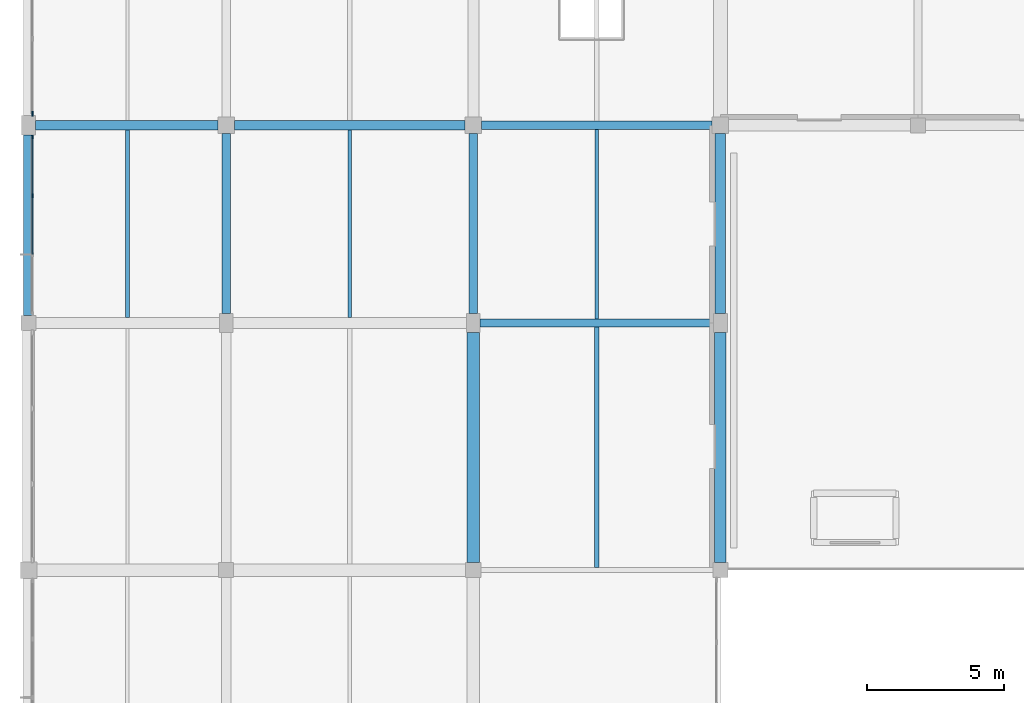
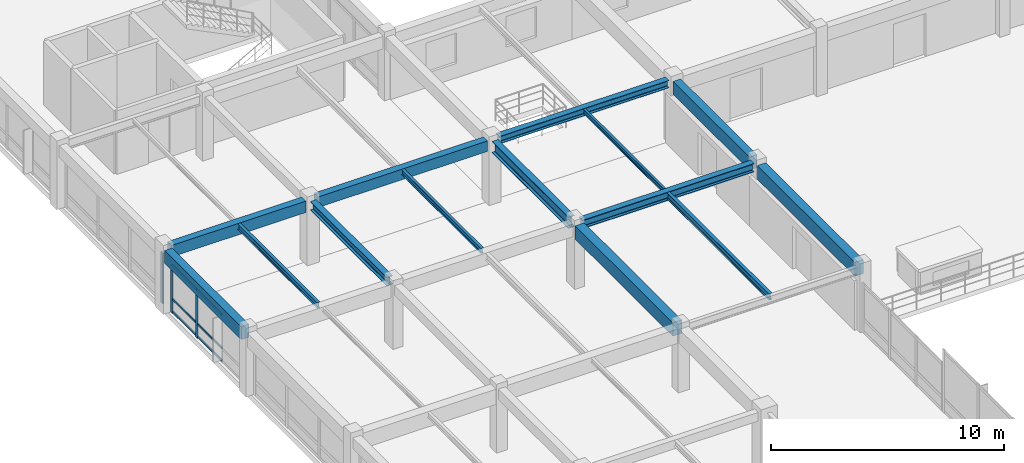
# One storey, part 12 of 74: 14 beams, 9 members, 2 elements without a shape of their own.
"""IFC4 building model written with IfcOpenShell, lengths in metres."""

from ifc_helpers import new_model, si_unit, direction, frame, origin, origin_2d, place, context, subcontext, project, spatial, rectangle, i_section, extrude, material, material_profile, profile_set, type_object, element, aggregate, save


model = new_model("IFC4")

# Units and contexts
model_context = context("Model", 3, precision=1e-05, world=origin(), true_north=direction((0.0, 1.0)))
body_context = subcontext(model_context, "Body", "Model", "MODEL_VIEW")
ifc_project = project(units=[si_unit("LENGTHUNIT", "METRE"), si_unit("AREAUNIT", "SQUARE_METRE"), si_unit("VOLUMEUNIT", "CUBIC_METRE"), si_unit("PLANEANGLEUNIT", "RADIAN"), si_unit("MASSUNIT", "GRAM", prefix="KILO")], contexts=[model_context])

# Site, building, storey
site_placement = place(None, origin())
site = spatial("IfcSite", under=ifc_project, at=site_placement, CompositionType="ELEMENT")
building_placement = place(site_placement, origin())
building = spatial("IfcBuilding", under=site, at=building_placement, Name="Clarverna Civic Hall", CompositionType="ELEMENT")
storey_placement = place(building_placement, frame((0.0, 0.0, 9.60009765625)))
storey = spatial("IfcBuildingStorey", under=building, at=storey_placement, Name="L02", CompositionType="ELEMENT", Elevation=9.60009765625)

# Beams
ifc_material_1 = material(Name="Concrete C35/45", Category="concrete")
ifc_material_profile_1 = material_profile(ifc_material_1, rectangle(XDim=0.449951171875, YDim=0.699951171875, at=origin_2d()), Name="RC 450x700")
ifc_profile_set_1 = profile_set([ifc_material_profile_1], Name="Concrete C35/45")
beam_type_1 = type_object("IfcBeamType", Name="B-RC4", PredefinedType="BEAM", material=ifc_profile_set_1)
beam_1_placement = place(storey_placement, frame((16.199951171875, 46.675048828125, 2.969970703125), z_axis=(0.0, 1.0, 0.0), x_axis=(-1.0, 0.0, 0.0)))
element("IfcBeam", 1, at=beam_1_placement, inside=storey, type_object=beam_type_1, Name="B-RC4-024", PredefinedType="BEAM", context=body_context, shape_type="SweptSolid", body=[
    extrude(rectangle(XDim=0.449951171875, YDim=0.699951171875, at=origin_2d()), origin(), (0.0, 0.0, 1.0), 8.375),
])
ifc_material_profile_2 = material_profile(ifc_material_1, rectangle(XDim=0.35009765625, YDim=0.60009765625, at=origin_2d()), Name="RC 350x600")
ifc_profile_set_2 = profile_set([ifc_material_profile_2], Name="Concrete C35/45")
beam_type_2 = type_object("IfcBeamType", Name="B-RC8", PredefinedType="BEAM", material=ifc_profile_set_2)
beam_2_placement = place(storey_placement, frame((0.25, 62.60009765625, 3.02001953125), z_axis=(1.0, 0.0, 0.0), x_axis=(0.0, 1.0, 0.0)))
element("IfcBeam", 2, at=beam_2_placement, inside=storey, type_object=beam_type_2, Name="B-RC8-025", PredefinedType="BEAM", context=body_context, shape_type="SweptSolid", body=[
    extrude(rectangle(XDim=0.35009765625, YDim=0.60009765625, at=origin_2d()), origin(), (0.0, 0.0, 1.0), 6.64990234375),
])
ifc_material_profile_3 = material_profile(ifc_material_1, rectangle(XDim=0.35009765625, YDim=0.550048828125, at=origin_2d()), Name="RC 350x550")
ifc_profile_set_3 = profile_set([ifc_material_profile_3], Name="Concrete C35/45")
beam_type_3 = type_object("IfcBeamType", Name="B-RC9", PredefinedType="BEAM", material=ifc_profile_set_3)
beam_3_placement = place(storey_placement, frame((7.5, 62.60009765625, 3.044921875), z_axis=(1.0, 0.0, 0.0), x_axis=(0.0, 1.0, 0.0)))
element("IfcBeam", 3, at=beam_3_placement, inside=storey, type_object=beam_type_3, Name="B-RC9-033", PredefinedType="BEAM", context=body_context, shape_type="SweptSolid", body=[
    extrude(rectangle(XDim=0.35009765625, YDim=0.550048828125, at=origin_2d()), origin(), (0.0, 0.0, 1.0), 8.39990234375),
])
ifc_material_profile_4 = material_profile(ifc_material_1, rectangle(XDim=0.419921875, YDim=0.719970703125, at=origin_2d()), Name="RC 420x720")
ifc_profile_set_4 = profile_set([ifc_material_profile_4], Name="Concrete C35/45")
beam_type_4 = type_object("IfcBeamType", Name="B-SP1", PredefinedType="SPANDREL", material=ifc_profile_set_4)
beam_4_placement = place(storey_placement, frame((25.199951171875, 46.675048828125, 2.9599609375), z_axis=(0.0, 1.0, 0.0), x_axis=(-1.0, 0.0, 0.0)))
element("IfcBeam", 4, at=beam_4_placement, inside=storey, type_object=beam_type_4, Name="B-SP1-098", PredefinedType="SPANDREL", context=body_context, shape_type="SweptSolid", body=[
    extrude(rectangle(XDim=0.419921875, YDim=0.719970703125, at=origin_2d()), origin(), (0.0, 0.0, 1.0), 8.375),
])
ifc_material_profile_5 = material_profile(ifc_material_1, rectangle(XDim=0.3798828125, YDim=0.679931640625, at=origin_2d()), Name="RC 380x680")
ifc_profile_set_5 = profile_set([ifc_material_profile_5], Name="Concrete C35/45")
beam_type_5 = type_object("IfcBeamType", Name="B-SP2", PredefinedType="SPANDREL", material=ifc_profile_set_5)
beam_5_placement = place(storey_placement, frame((0.0, 55.675048828125, 2.97998046875), z_axis=(0.0, 1.0, 0.0), x_axis=(-1.0, 0.0, 0.0)))
element("IfcBeam", 5, at=beam_5_placement, inside=storey, type_object=beam_type_5, Name="B-SP2-098", PredefinedType="SPANDREL", context=body_context, shape_type="SweptSolid", body=[
    extrude(rectangle(XDim=0.3798828125, YDim=0.679931640625, at=origin_2d()), origin(), (0.0, 0.0, 1.0), 6.574951171875),
])
beam_6_placement = place(storey_placement, frame((25.199951171875, 55.75, 2.97998046875), z_axis=(0.0, 1.0, 0.0), x_axis=(-1.0, 0.0, 0.0)))
element("IfcBeam", 6, at=beam_6_placement, inside=storey, type_object=beam_type_5, Name="B-SP2-101", PredefinedType="SPANDREL", context=body_context, shape_type="SweptSolid", body=[
    extrude(rectangle(XDim=0.3798828125, YDim=0.679931640625, at=origin_2d()), origin(), (0.0, 0.0, 1.0), 6.550048828125),
])
ifc_material_2 = material(Name="Steel S355", Category="steel")
ifc_material_profile_6 = material_profile(ifc_material_2, i_section(OverallWidth=0.300048828125, OverallDepth=0.60009765625, WebThickness=0.015380859375, FlangeThickness=0.030029296875, FilletRadius=0.027099609375, at=origin_2d()), Name="HEB 600")
ifc_profile_set_6 = profile_set([ifc_material_profile_6], Name="Steel S355")
beam_type_6 = type_object("IfcBeamType", Name="B-ST1", PredefinedType="BEAM", material=ifc_profile_set_6)
beam_7_placement = place(storey_placement, frame((16.199951171875, 55.75, 3.02001953125), z_axis=(0.0, 1.0, 0.0), x_axis=(-1.0, 0.0, 0.0)))
element("IfcBeam", 7, at=beam_7_placement, inside=storey, type_object=beam_type_6, Name="B-ST1-011", PredefinedType="BEAM", context=body_context, shape_type="SweptSolid", body=[
    extrude(i_section(OverallWidth=0.300048828125, OverallDepth=0.60009765625, WebThickness=0.015380859375, FlangeThickness=0.030029296875, FilletRadius=0.027099609375, at=origin_2d()), origin(), (0.0, 0.0, 1.0), 6.550048828125),
])
ifc_material_profile_7 = material_profile(ifc_material_2, i_section(OverallWidth=0.300048828125, OverallDepth=0.449951171875, WebThickness=0.013916015625, FlangeThickness=0.02587890625, FilletRadius=0.027099609375, at=origin_2d()), Name="HEB 450")
ifc_profile_set_7 = profile_set([ifc_material_profile_7], Name="Steel S355")
beam_type_7 = type_object("IfcBeamType", Name="B-ST3", PredefinedType="BEAM", material=ifc_profile_set_7)
beam_8_placement = place(storey_placement, frame((16.449951171875, 55.39990234375, 3.094970703125), z_axis=(1.0, 0.0, 0.0), x_axis=(0.0, 1.0, 0.0)))
element("IfcBeam", 8, at=beam_8_placement, inside=storey, type_object=beam_type_7, Name="B-ST3-007", PredefinedType="BEAM", context=body_context, shape_type="SweptSolid", body=[
    extrude(i_section(OverallWidth=0.300048828125, OverallDepth=0.449951171875, WebThickness=0.013916015625, FlangeThickness=0.02587890625, FilletRadius=0.027099609375, at=origin_2d()), origin(), (0.0, 0.0, 1.0), 8.5),
])
beam_9_placement = place(storey_placement, frame((7.199951171875, 55.75, 3.094970703125), z_axis=(0.0, 1.0, 0.0), x_axis=(-1.0, 0.0, 0.0)))
element("IfcBeam", 9, at=beam_9_placement, inside=storey, type_object=beam_type_7, Name="B-ST3-008", PredefinedType="BEAM", context=body_context, shape_type="SweptSolid", body=[
    extrude(i_section(OverallWidth=0.300048828125, OverallDepth=0.449951171875, WebThickness=0.013916015625, FlangeThickness=0.02587890625, FilletRadius=0.027099609375, at=origin_2d()), origin(), (0.0, 0.0, 1.0), 6.550048828125),
])
ifc_material_profile_8 = material_profile(ifc_material_2, i_section(OverallWidth=0.300048828125, OverallDepth=0.389892578125, WebThickness=0.010986328125, FlangeThickness=0.01904296875, FilletRadius=0.027099609375, at=origin_2d()), Name="HEA 400")
ifc_profile_set_8 = profile_set([ifc_material_profile_8], Name="Steel S355")
beam_type_8 = type_object("IfcBeamType", Name="B-ST6", PredefinedType="BEAM", material=ifc_profile_set_8)
beam_10_placement = place(storey_placement, frame((16.5, 62.60009765625, 3.125), z_axis=(1.0, 0.0, 0.0), x_axis=(0.0, 1.0, 0.0)))
element("IfcBeam", 10, at=beam_10_placement, inside=storey, type_object=beam_type_8, Name="B-ST6-008", PredefinedType="BEAM", context=body_context, shape_type="SweptSolid", body=[
    extrude(i_section(OverallWidth=0.300048828125, OverallDepth=0.389892578125, WebThickness=0.010986328125, FlangeThickness=0.01904296875, FilletRadius=0.027099609375, at=origin_2d()), origin(), (0.0, 0.0, 1.0), 8.39990234375),
])

# Curtain wall, member
ifc_material_3 = material(Name="Anodised Bronze Architectural Aluminium", Category="aluminium")
curtain_wall_type = type_object("IfcCurtainWallType", Name="CW-01", PredefinedType="USERDEFINED", material=ifc_material_3)
curtain_wall_1_placement = place(storey_placement, origin())
curtain_wall_1 = element("IfcCurtainWall", 11, at=curtain_wall_1_placement, inside=storey, type_object=curtain_wall_type, Name="CW-01-023", ObjectType="UNITISED CURTAIN WALL", PredefinedType="USERDEFINED")
ifc_material_profile_9 = material_profile(ifc_material_3, rectangle(XDim=0.06005859375, YDim=0.179931640625, at=origin_2d()), Name="BRONZE 60x180")
ifc_profile_set_9 = profile_set([ifc_material_profile_9], Name="Anodised Bronze Architectural Aluminium")
member_type_1 = type_object("IfcMemberType", Name="CWM-01", PredefinedType="MULLION", material=ifc_profile_set_9)
member_1_placement = place(storey_placement, frame((0.139892578125, 63.02294921875, 0.0), z_axis=(0.0, 0.0, 1.0), x_axis=(1.0, 0.0, 0.0)))
member_1 = element("IfcMember", 12, at=member_1_placement, type_object=member_type_1, Name="CWM-01-074", PredefinedType="MULLION", context=body_context, shape_type="SweptSolid", body=[
    extrude(rectangle(XDim=0.06005859375, YDim=0.179931640625, at=origin_2d()), origin(), (0.0, 0.0, 1.0), 2.639892578125),
])
aggregate(curtain_wall_1, [member_1])

# Curtain wall, members
curtain_wall_2_placement = place(storey_placement, origin())
curtain_wall_2 = element("IfcCurtainWall", 13, at=curtain_wall_2_placement, inside=storey, type_object=curtain_wall_type, Name="CW-01-022", ObjectType="UNITISED CURTAIN WALL", PredefinedType="USERDEFINED")
ifc_material_profile_10 = material_profile(ifc_material_3, rectangle(XDim=0.054931640625, YDim=0.139892578125, at=origin_2d()), Name="BRONZE 55x140")
ifc_profile_set_10 = profile_set([ifc_material_profile_10], Name="Anodised Bronze Architectural Aluminium")
member_type_2 = type_object("IfcMemberType", Name="CWM-04", PredefinedType="MULLION", material=ifc_profile_set_10)
member_2_placement = place(storey_placement, frame((0.139892578125, 60.033935546875, 0.0), z_axis=(0.0, 0.0, 1.0), x_axis=(1.0, 0.0, 0.0)))
member_2 = element("IfcMember", 14, at=member_2_placement, type_object=member_type_2, Name="CWM-04-087", PredefinedType="MULLION", context=body_context, shape_type="SweptSolid", body=[
    extrude(rectangle(XDim=0.054931640625, YDim=0.139892578125, at=origin_2d()), origin(), (0.0, 0.0, 1.0), 2.599853515625),
])
member_3_placement = place(storey_placement, frame((0.139892578125, 62.177001953125, 0.0), z_axis=(0.0, 0.0, 1.0), x_axis=(1.0, 0.0, 0.0)))
member_3 = element("IfcMember", 15, at=member_3_placement, type_object=member_type_2, Name="CWM-04-088", PredefinedType="MULLION", context=body_context, shape_type="SweptSolid", body=[
    extrude(rectangle(XDim=0.054931640625, YDim=0.139892578125, at=origin_2d()), origin(), (0.0, 0.0, 1.0), 2.599853515625),
])
ifc_material_profile_11 = material_profile(ifc_material_3, rectangle(XDim=0.054931640625, YDim=0.110107421875, at=origin_2d()), Name="BRONZE 55x110")
ifc_profile_set_11 = profile_set([ifc_material_profile_11], Name="Anodised Bronze Architectural Aluminium")
member_type_3 = type_object("IfcMemberType", Name="CWT-04", PredefinedType="USERDEFINED", material=ifc_profile_set_11)
member_4_placement = place(storey_placement, frame((0.139892578125, 57.906005859375, 0.094970703125), z_axis=(0.0, 1.0, 0.0), x_axis=(-1.0, 0.0, 0.0)))
member_4 = element("IfcMember", 16, at=member_4_placement, type_object=member_type_3, Name="CWT-04-181", ObjectType="TRANSOM", PredefinedType="USERDEFINED", context=body_context, shape_type="SweptSolid", body=[
    extrude(rectangle(XDim=0.054931640625, YDim=0.110107421875, at=origin_2d()), origin(), (0.0, 0.0, 1.0), 2.113037109375),
])
member_5_placement = place(storey_placement, frame((0.139892578125, 57.906005859375, 0.75), z_axis=(0.0, 1.0, 0.0), x_axis=(-1.0, 0.0, 0.0)))
member_5 = element("IfcMember", 17, at=member_5_placement, type_object=member_type_3, Name="CWT-04-182", ObjectType="TRANSOM", PredefinedType="USERDEFINED", context=body_context, shape_type="SweptSolid", body=[
    extrude(rectangle(XDim=0.054931640625, YDim=0.110107421875, at=origin_2d()), origin(), (0.0, 0.0, 1.0), 2.113037109375),
])
member_6_placement = place(storey_placement, frame((0.139892578125, 57.906005859375, 2.5048828125), z_axis=(0.0, 1.0, 0.0), x_axis=(-1.0, 0.0, 0.0)))
member_6 = element("IfcMember", 18, at=member_6_placement, type_object=member_type_3, Name="CWT-04-183", ObjectType="TRANSOM", PredefinedType="USERDEFINED", context=body_context, shape_type="SweptSolid", body=[
    extrude(rectangle(XDim=0.054931640625, YDim=0.110107421875, at=origin_2d()), origin(), (0.0, 0.0, 1.0), 2.113037109375),
])
member_7_placement = place(storey_placement, frame((0.139892578125, 60.049072265625, 0.094970703125), z_axis=(0.0, 1.0, 0.0), x_axis=(-1.0, 0.0, 0.0)))
member_7 = element("IfcMember", 19, at=member_7_placement, type_object=member_type_3, Name="CWT-04-184", ObjectType="TRANSOM", PredefinedType="USERDEFINED", context=body_context, shape_type="SweptSolid", body=[
    extrude(rectangle(XDim=0.054931640625, YDim=0.110107421875, at=origin_2d()), origin(), (0.0, 0.0, 1.0), 2.113037109375),
])
member_8_placement = place(storey_placement, frame((0.139892578125, 60.049072265625, 0.75), z_axis=(0.0, 1.0, 0.0), x_axis=(-1.0, 0.0, 0.0)))
member_8 = element("IfcMember", 20, at=member_8_placement, type_object=member_type_3, Name="CWT-04-185", ObjectType="TRANSOM", PredefinedType="USERDEFINED", context=body_context, shape_type="SweptSolid", body=[
    extrude(rectangle(XDim=0.054931640625, YDim=0.110107421875, at=origin_2d()), origin(), (0.0, 0.0, 1.0), 2.113037109375),
])
member_9_placement = place(storey_placement, frame((0.139892578125, 60.049072265625, 2.5048828125), z_axis=(0.0, 1.0, 0.0), x_axis=(-1.0, 0.0, 0.0)))
member_9 = element("IfcMember", 21, at=member_9_placement, type_object=member_type_3, Name="CWT-04-186", ObjectType="TRANSOM", PredefinedType="USERDEFINED", context=body_context, shape_type="SweptSolid", body=[
    extrude(rectangle(XDim=0.054931640625, YDim=0.110107421875, at=origin_2d()), origin(), (0.0, 0.0, 1.0), 2.113037109375),
])
aggregate(curtain_wall_2, [member_2, member_3, member_4, member_5, member_6, member_7, member_8, member_9])

# Beams
ifc_material_profile_12 = material_profile(ifc_material_2, i_section(OverallWidth=0.159912109375, OverallDepth=0.330078125, WebThickness=0.007568359375, FlangeThickness=0.011474609375, FilletRadius=0.01806640625, at=origin_2d()), Name="IPE 330")
ifc_profile_set_12 = profile_set([ifc_material_profile_12], Name="Steel S355")
beam_type_9 = type_object("IfcBeamType", Name="J-ST2", PredefinedType="JOIST", material=ifc_profile_set_12)
beam_11_placement = place(storey_placement, frame((20.699951171875, 46.489990234375, 3.15478515625), z_axis=(0.0, 1.0, 0.0), x_axis=(-1.0, 0.0, 0.0)))
element("IfcBeam", 22, at=beam_11_placement, inside=storey, type_object=beam_type_9, Name="J-ST2-051", PredefinedType="JOIST", context=body_context, shape_type="SweptSolid", body=[
    extrude(i_section(OverallWidth=0.159912109375, OverallDepth=0.330078125, WebThickness=0.007568359375, FlangeThickness=0.011474609375, FilletRadius=0.01806640625, at=origin_2d()), origin(), (0.0, 0.0, 1.0), 8.760009765625),
])
ifc_material_profile_13 = material_profile(ifc_material_2, i_section(OverallWidth=0.14990234375, OverallDepth=0.300048828125, WebThickness=0.007080078125, FlangeThickness=0.0107421875, FilletRadius=0.014892578125, at=origin_2d()), Name="IPE 300")
ifc_profile_set_13 = profile_set([ifc_material_profile_13], Name="Steel S355")
beam_type_10 = type_object("IfcBeamType", Name="J-ST3", PredefinedType="JOIST", material=ifc_profile_set_13)
beam_12_placement = place(storey_placement, frame((3.60009765625, 55.60009765625, 3.169921875), z_axis=(0.0, 1.0, 0.0), x_axis=(-1.0, 0.0, 0.0)))
element("IfcBeam", 23, at=beam_12_placement, inside=storey, type_object=beam_type_10, Name="J-ST3-051", PredefinedType="JOIST", context=body_context, shape_type="SweptSolid", body=[
    extrude(i_section(OverallWidth=0.14990234375, OverallDepth=0.300048828125, WebThickness=0.007080078125, FlangeThickness=0.0107421875, FilletRadius=0.014892578125, at=origin_2d()), origin(), (0.0, 0.0, 1.0), 6.824951171875),
])
ifc_material_profile_14 = material_profile(ifc_material_2, i_section(OverallWidth=0.135009765625, OverallDepth=0.27001953125, WebThickness=0.006591796875, FlangeThickness=0.01025390625, FilletRadius=0.014892578125, at=origin_2d()), Name="IPE 270")
ifc_profile_set_14 = profile_set([ifc_material_profile_14], Name="Steel S355")
beam_type_11 = type_object("IfcBeamType", Name="J-ST4", PredefinedType="JOIST", material=ifc_profile_set_14)
beam_13_placement = place(storey_placement, frame((11.699951171875, 55.60009765625, 3.184814453125), z_axis=(0.0, 1.0, 0.0), x_axis=(-1.0, 0.0, 0.0)))
element("IfcBeam", 24, at=beam_13_placement, inside=storey, type_object=beam_type_11, Name="J-ST4-053", PredefinedType="JOIST", context=body_context, shape_type="SweptSolid", body=[
    extrude(i_section(OverallWidth=0.135009765625, OverallDepth=0.27001953125, WebThickness=0.006591796875, FlangeThickness=0.01025390625, FilletRadius=0.014892578125, at=origin_2d()), origin(), (0.0, 0.0, 1.0), 6.824951171875),
])
ifc_material_profile_15 = material_profile(ifc_material_2, i_section(OverallWidth=0.1201171875, OverallDepth=0.239990234375, WebThickness=0.006103515625, FlangeThickness=0.009765625, FilletRadius=0.014892578125, at=origin_2d()), Name="IPE 240")
ifc_profile_set_15 = profile_set([ifc_material_profile_15], Name="Steel S355")
beam_type_12 = type_object("IfcBeamType", Name="J-ST5", PredefinedType="JOIST", material=ifc_profile_set_15)
beam_14_placement = place(storey_placement, frame((20.699951171875, 55.550048828125, 3.199951171875), z_axis=(0.0, 1.0, 0.0), x_axis=(-1.0, 0.0, 0.0)))
element("IfcBeam", 25, at=beam_14_placement, inside=storey, type_object=beam_type_12, Name="J-ST5-051", PredefinedType="JOIST", context=body_context, shape_type="SweptSolid", body=[
    extrude(i_section(OverallWidth=0.1201171875, OverallDepth=0.239990234375, WebThickness=0.006103515625, FlangeThickness=0.009765625, FilletRadius=0.014892578125, at=origin_2d()), origin(), (0.0, 0.0, 1.0), 6.89990234375),
])

save(model, "model.ifc")
